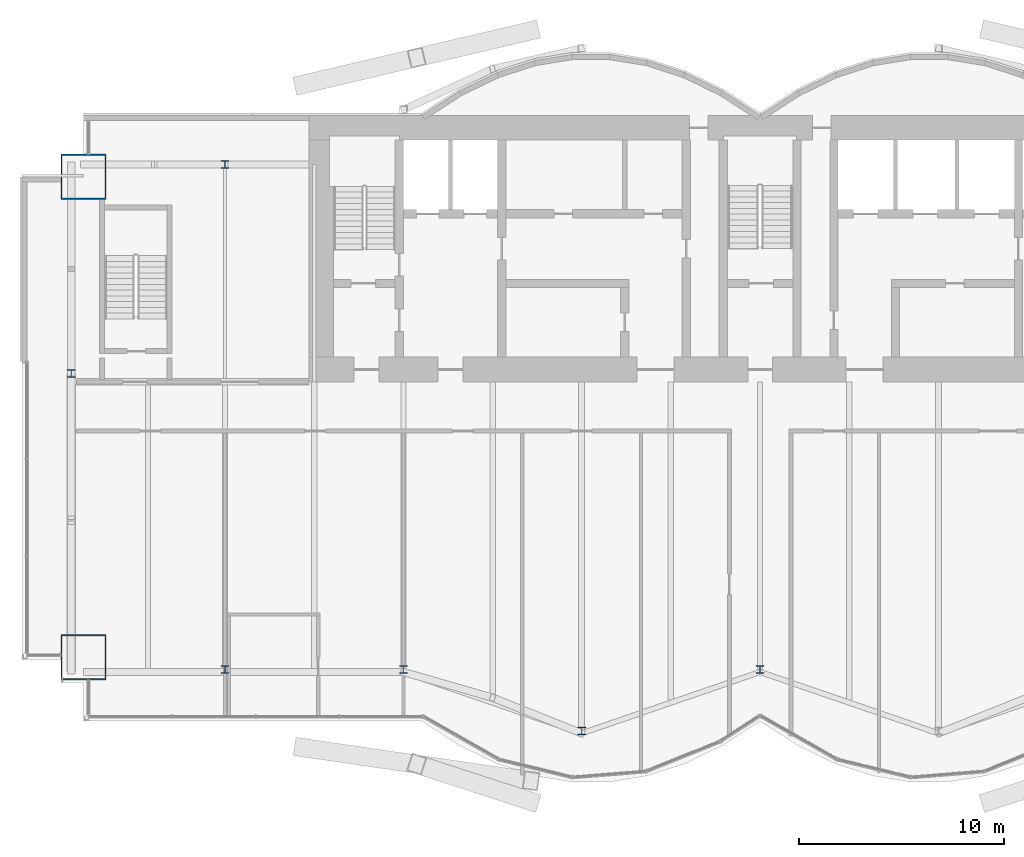
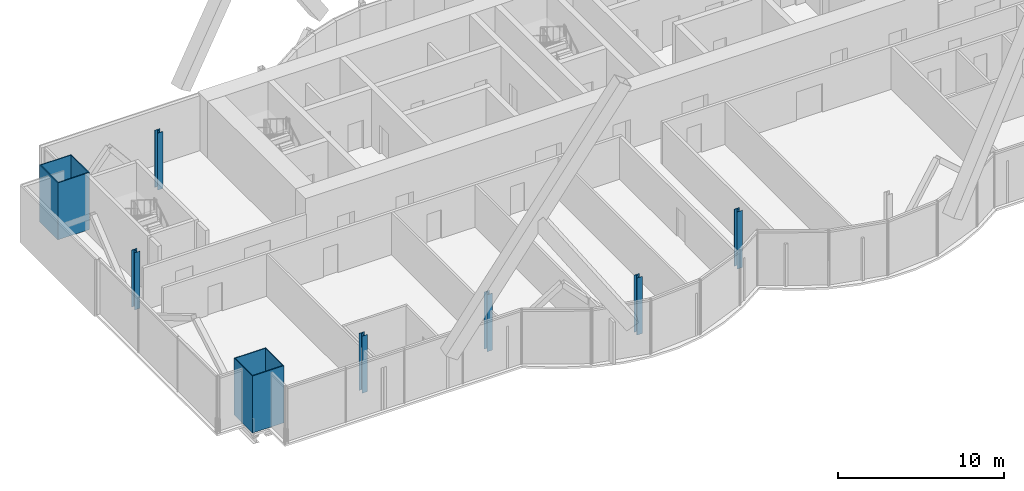
# One storey, part 1 of 22: 8 columns.
"""IFC4 building model written with IfcOpenShell, lengths in metres."""

from ifc_helpers import new_model, si_unit, direction, frame, origin, origin_2d, place, context, subcontext, project, spatial, hollow_rectangle, i_section, extrude, material, material_profile, profile_set, type_object, element, save


model = new_model("IFC4")

# Units and contexts
model_context = context("Model", 3, precision=1e-05, world=origin(), true_north=direction((0.0, 1.0)))
body_context = subcontext(model_context, "Body", "Model", "MODEL_VIEW")
ifc_project = project(units=[si_unit("LENGTHUNIT", "METRE"), si_unit("AREAUNIT", "SQUARE_METRE"), si_unit("VOLUMEUNIT", "CUBIC_METRE"), si_unit("PLANEANGLEUNIT", "RADIAN"), si_unit("MASSUNIT", "GRAM", prefix="KILO")], contexts=[model_context])

# Site, building, storey
site_placement = place(None, origin())
site = spatial("IfcSite", under=ifc_project, at=site_placement, CompositionType="ELEMENT")
building_placement = place(site_placement, origin())
building = spatial("IfcBuilding", under=site, at=building_placement, Name="Bicima Exchange Tower", CompositionType="ELEMENT")
storey_placement = place(building_placement, frame((0.0, 0.0, 254.0)))
storey = spatial("IfcBuildingStorey", under=building, at=storey_placement, Name="L57", CompositionType="ELEMENT", Elevation=254.0)

# Columns
ifc_material_1 = material(Name="Steel ASTM A572 Gr 50", Category="steel")
ifc_material_profile_1 = material_profile(ifc_material_1, hollow_rectangle(XDim=2.199951171875, YDim=2.199951171875, WallThickness=0.06005859375, at=origin_2d()))
ifc_profile_set_1 = profile_set([ifc_material_profile_1], Name="Steel ASTM A572 Gr 50")
column_type_1 = type_object("IfcColumnType", Name="Mega column BOX 2200x2200x60", PredefinedType="COLUMN", material=ifc_profile_set_1)
for number, where, z_axis, x_axis, name in (
    (1, (-33.0, -26.43408203125, 0.0), (0.0, 0.0, 1.0), (1.0, 0.0, 0.0), "Mega column mega-33.0f"),
    (2, (-33.0, -3.0, 0.0), (0.0, 0.0, 1.0), (1.0, 0.0, 0.0), "Mega column mega-33.0r"),
):
    element("IfcColumn", number, at=place(storey_placement, frame(where, z_axis=z_axis, x_axis=x_axis)), inside=storey, type_object=column_type_1, Name=name, PredefinedType="COLUMN", context=body_context, shape_type="SweptSolid", body=[
        extrude(hollow_rectangle(XDim=2.199951171875, YDim=2.199951171875, WallThickness=0.06005859375, at=origin_2d()), origin(), (0.0, 0.0, 1.0), 4.199951171875),
    ])
ifc_material_2 = material(Name="Steel ASTM A992 Gr 50", Category="steel")
ifc_material_profile_2 = material_profile(ifc_material_2, i_section(OverallWidth=0.370849609375, OverallDepth=0.36328125, WebThickness=0.013427734375, FlangeThickness=0.021728515625, at=origin_2d()))
ifc_profile_set_2 = profile_set([ifc_material_profile_2], Name="Steel ASTM A992 Gr 50")
column_type_2 = type_object("IfcColumnType", Name="Perimeter column W14x109", PredefinedType="COLUMN", material=ifc_profile_set_2)
for number, where, z_axis, x_axis, name in (
    (3, (-26.10009765625, -27.033935546875, 0.0), (0.0, 0.0, 1.0), (1.0, 0.0, 0.0), "Perimeter column grav-26.1f"),
    (4, (-26.10009765625, -2.39990234375, 0.0), (0.0, 0.0, 1.0), (1.0, 0.0, 0.0), "Perimeter column grav-26.1r"),
    (5, (-17.39990234375, -27.033935546875, 0.0), (0.0, 0.0, 1.0), (1.0, 0.0, 0.0), "Perimeter column grav-17.4f"),
    (6, (-8.699951171875, -30.025146484375, 0.0), (0.0, 0.0, 1.0), (1.0, 0.0, 0.0), "Perimeter column grav-8.7f"),
    (7, (0.0, -27.033935546875, 0.0), (0.0, 0.0, 1.0), (1.0, 0.0, 0.0), "Perimeter column grav-0.0f"),
    (8, (-33.60009765625, -12.60009765625, 0.0), (0.0, 0.0, 1.0), (1.0, 0.0, 0.0), "End column end-33.6e"),
):
    element("IfcColumn", number, at=place(storey_placement, frame(where, z_axis=z_axis, x_axis=x_axis)), inside=storey, type_object=column_type_2, Name=name, PredefinedType="COLUMN", context=body_context, shape_type="SweptSolid", body=[
        extrude(i_section(OverallWidth=0.370849609375, OverallDepth=0.36328125, WebThickness=0.013427734375, FlangeThickness=0.021728515625, at=origin_2d()), origin(), (0.0, 0.0, 1.0), 4.199951171875),
    ])

save(model, "model.ifc")
